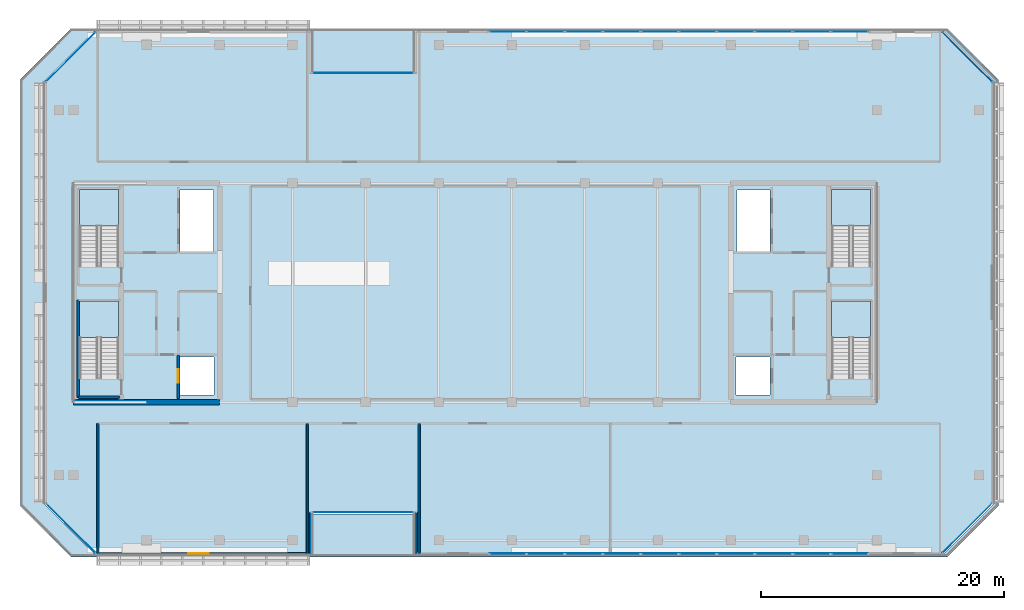
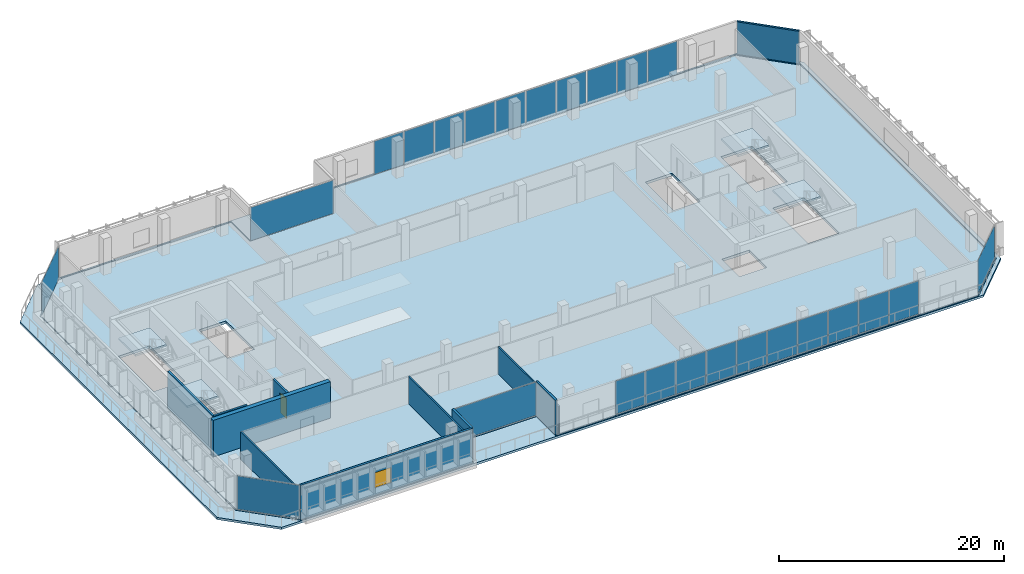
# One storey, part 19 of 26: 26 plates, 10 walls, 6 slabs, 2 members, 1 door, 1 window, 2 openings, 12 elements without a shape of their own.
"""IFC4 building model written with IfcOpenShell, lengths in metres."""

from ifc_helpers import new_model, si_unit, direction, frame, frame_2d, origin, origin_2d, place, context, subcontext, project, spatial, polyline, rectangle, hollow_rectangle, outline, extrude, material, layer, layer_set, material_profile, profile_set, type_object, element, fill, aggregate, save


model = new_model("IFC4")

# Units and contexts
model_context = context("Model", 3, precision=1e-05, world=origin(), true_north=direction((0.0, 1.0)))
body_context = subcontext(model_context, "Body", "Model", "MODEL_VIEW")
ifc_project = project(units=[si_unit("LENGTHUNIT", "METRE"), si_unit("AREAUNIT", "SQUARE_METRE"), si_unit("VOLUMEUNIT", "CUBIC_METRE"), si_unit("PLANEANGLEUNIT", "RADIAN"), si_unit("MASSUNIT", "GRAM", prefix="KILO")], contexts=[model_context])

# Site, building, storey
site_placement = place(None, origin())
site = spatial("IfcSite", under=ifc_project, at=site_placement, CompositionType="ELEMENT")
building_placement = place(site_placement, origin())
building = spatial("IfcBuilding", under=site, at=building_placement, Name="Tanjung Sevakor Pilgrim Tower", CompositionType="ELEMENT")
storey_placement = place(building_placement, frame((0.0, 0.0, 177.8701171875)))
storey = spatial("IfcBuildingStorey", under=building, at=storey_placement, Name="L49", CompositionType="ELEMENT", Elevation=177.8701171875)

# Curtain wall, members
ifc_material_1 = material(Name="Aluminium 6063-T6 and Low-E Glass", Category="aluminium")
ifc_layer_1 = layer(ifc_material_1, 0.179931640625)
ifc_layer_set_1 = layer_set([ifc_layer_1], Name="CW-SYS-CHAM")
curtain_wall_type_1 = type_object("IfcCurtainWallType", Name="CW-SYS-CHAM", PredefinedType="NOTDEFINED", material=ifc_layer_set_1)
curtain_wall_1_placement = place(storey_placement, origin())
curtain_wall_1 = element("IfcCurtainWall", 1, at=curtain_wall_1_placement, inside=storey, type_object=curtain_wall_type_1, Name="L49 Curtain Wall CW-CHM-L49-MAIN-7", PredefinedType="NOTDEFINED")
ifc_material_2 = material(Name="Aluminium 6063-T6", Category="aluminium")
ifc_material_profile = material_profile(ifc_material_2, hollow_rectangle(XDim=0.06494140625, YDim=0.139892578125, WallThickness=0.00390625, at=origin_2d()))
ifc_profile_set = profile_set([ifc_material_profile], Name="Aluminium 6063-T6")
member_type = type_object("IfcMemberType", Name="TYPE-CWT-1", PredefinedType="USERDEFINED", material=ifc_profile_set)
member_1_placement = place(storey_placement, frame((99.444091796875, 50.950439453125, 0.032470703125), z_axis=(-0.707106781187, 0.707106781187, 0.0), x_axis=(-0.707106781187, -0.707106781187, 0.0)))
member_1 = element("IfcMember", 2, at=member_1_placement, type_object=member_type, Name="CW-CHM transom 1.1", ObjectType="TRANSOM", PredefinedType="USERDEFINED", context=body_context, shape_type="SweptSolid", body=[
    extrude(hollow_rectangle(XDim=0.06494140625, YDim=0.139892578125, WallThickness=0.00390625, at=origin_2d()), origin(), (0.0, 0.0, 1.0), 5.71875),
])
member_2_placement = place(storey_placement, frame((99.444091796875, 50.950439453125, 3.707275390625), z_axis=(-0.707106781187, 0.707106781187, 0.0), x_axis=(-0.707106781187, -0.707106781187, 0.0)))
member_2 = element("IfcMember", 3, at=member_2_placement, type_object=member_type, Name="CW-CHM transom 1.2", ObjectType="TRANSOM", PredefinedType="USERDEFINED", context=body_context, shape_type="SweptSolid", body=[
    extrude(hollow_rectangle(XDim=0.06494140625, YDim=0.139892578125, WallThickness=0.00390625, at=origin_2d()), origin(), (0.0, 0.0, 1.0), 5.71875),
])

# Stair, slab
ifc_material_3 = material(Name="Concrete C40/50", Category="concrete")
stair_type = type_object("IfcStairType", Name="STAIR-ST-CR150", PredefinedType="HALF_TURN_STAIR", material=ifc_material_3)
stair_1_placement = place(storey_placement, origin())
stair_1 = element("IfcStair", 4, at=stair_1_placement, inside=storey, type_object=stair_type, Name="L49 West Core Exit Stair 1", PredefinedType="HALF_TURN_STAIR")
ifc_material_4 = material(Name="Concrete C40/50", Category="concrete")
ifc_layer_2 = layer(ifc_material_4, 0.199951171875)
ifc_layer_set_2 = layer_set([ifc_layer_2], Name="SL-LAND-200")
slab_type_1 = type_object("IfcSlabType", Name="SL-LAND-200", PredefinedType="LANDING", material=ifc_layer_set_2)
slab_1_placement = place(storey_placement, frame((0.0, 0.0, 1.77978515625)))
slab_1 = element("IfcSlab", 5, at=slab_1_placement, type_object=slab_type_1, Name="TS-W1 landing 1", PredefinedType="LANDING", context=body_context, shape_type="SweptSolid", body=[
    extrude(outline(polyline([(27.699951171875, 29.89990234375), (27.699951171875, 32.89990234375), (24.5, 32.89990234375), (24.5, 29.89990234375), (27.699951171875, 29.89990234375)])), origin(), (0.0, 0.0, 1.0), 0.2001953125),
])
aggregate(stair_1, [slab_1])

stair_2_placement = place(storey_placement, origin())
stair_2 = element("IfcStair", 6, at=stair_2_placement, inside=storey, type_object=stair_type, Name="L49 West Core Exit Stair 2", PredefinedType="HALF_TURN_STAIR")
slab_2_placement = place(storey_placement, frame((0.0, 0.0, 1.77978515625)))
slab_2 = element("IfcSlab", 7, at=slab_2_placement, type_object=slab_type_1, Name="TS-W2 landing 1", PredefinedType="LANDING", context=body_context, shape_type="SweptSolid", body=[
    extrude(outline(polyline([(27.699951171875, 39.10009765625), (27.699951171875, 42.10009765625), (24.5, 42.10009765625), (24.5, 39.10009765625), (27.699951171875, 39.10009765625)])), origin(), (0.0, 0.0, 1.0), 0.2001953125),
])
aggregate(stair_2, [slab_2])

stair_3_placement = place(storey_placement, origin())
stair_3 = element("IfcStair", 8, at=stair_3_placement, inside=storey, type_object=stair_type, Name="L49 East Core Exit Stair 1", PredefinedType="HALF_TURN_STAIR")
slab_3_placement = place(storey_placement, frame((0.0, 0.0, 1.77978515625)))
slab_3 = element("IfcSlab", 9, at=slab_3_placement, type_object=slab_type_1, Name="TS-E1 landing 1", PredefinedType="LANDING", context=body_context, shape_type="SweptSolid", body=[
    extrude(outline(polyline([(89.5, 29.89990234375), (89.5, 32.89990234375), (86.300048828125, 32.89990234375), (86.300048828125, 29.89990234375), (89.5, 29.89990234375)])), origin(), (0.0, 0.0, 1.0), 0.2001953125),
])
aggregate(stair_3, [slab_3])

stair_4_placement = place(storey_placement, origin())
stair_4 = element("IfcStair", 10, at=stair_4_placement, inside=storey, type_object=stair_type, Name="L49 East Core Exit Stair 2", PredefinedType="HALF_TURN_STAIR")
slab_4_placement = place(storey_placement, frame((0.0, 0.0, 1.77978515625)))
slab_4 = element("IfcSlab", 11, at=slab_4_placement, type_object=slab_type_1, Name="TS-E2 landing 1", PredefinedType="LANDING", context=body_context, shape_type="SweptSolid", body=[
    extrude(outline(polyline([(89.5, 39.10009765625), (89.5, 42.10009765625), (86.300048828125, 42.10009765625), (86.300048828125, 39.10009765625), (89.5, 39.10009765625)])), origin(), (0.0, 0.0, 1.0), 0.2001953125),
])
aggregate(stair_4, [slab_4])

# Slabs
ifc_material_5 = material(Name="Concrete C40/50", Category="concrete")
ifc_layer_3 = layer(ifc_material_5, 0.280029296875)
ifc_layer_set_3 = layer_set([ifc_layer_3], Name="SL-SKY-280")
slab_type_2 = type_object("IfcSlabType", Name="SL-SKY-280", PredefinedType="FLOOR", material=ifc_layer_set_3)
slab_5_placement = place(storey_placement, frame((0.0, 0.0, -0.280029296875)))
element("IfcSlab", 12, at=slab_5_placement, inside=storey, type_object=slab_type_2, Name="L49 Floor Slab MAIN", PredefinedType="FLOOR", context=body_context, shape_type="SweptSolid", body=[
    extrude(outline(polyline([(25.846923828125, 12.1298828125), (43.52001953125, 12.1298828125), (43.52001953125, 15.530029296875), (52.080078125, 15.530029296875), (52.080078125, 12.1298828125), (95.35302734375, 12.1298828125), (99.52001953125, 16.296875), (99.52001953125, 50.903076171875), (95.35302734375, 55.070068359375), (52.080078125, 55.070068359375), (52.080078125, 51.669921875), (43.52001953125, 51.669921875), (43.52001953125, 55.070068359375), (25.846923828125, 55.070068359375), (21.679931640625, 50.903076171875), (21.679931640625, 16.296875), (25.846923828125, 12.1298828125)]), holes=[polyline([(27.699951171875, 26.60009765625), (27.699951171875, 32.89990234375), (24.5, 32.89990234375), (24.5, 26.60009765625), (27.699951171875, 26.60009765625)]), polyline([(27.699951171875, 35.800048828125), (27.699951171875, 42.10009765625), (24.5, 42.10009765625), (24.5, 35.800048828125), (27.699951171875, 35.800048828125)]), polyline([(89.5, 26.60009765625), (89.5, 32.89990234375), (86.300048828125, 32.89990234375), (86.300048828125, 26.60009765625), (89.5, 26.60009765625)]), polyline([(89.5, 35.800048828125), (89.5, 42.10009765625), (86.300048828125, 42.10009765625), (86.300048828125, 35.800048828125), (89.5, 35.800048828125)]), polyline([(32.75, 25.199951171875), (35.550048828125, 25.199951171875), (35.550048828125, 28.300048828125), (32.75, 28.300048828125), (32.75, 25.199951171875)]), polyline([(32.75, 37.0), (35.5, 37.0), (35.5, 42.050048828125), (32.75, 42.050048828125), (32.75, 37.0)]), polyline([(78.449951171875, 25.199951171875), (81.25, 25.199951171875), (81.25, 28.300048828125), (78.449951171875, 28.300048828125), (78.449951171875, 25.199951171875)]), polyline([(78.5, 37.0), (81.25, 37.0), (81.25, 42.050048828125), (78.5, 42.050048828125), (78.5, 37.0)])]), origin(), (0.0, 0.0, 1.0), 0.280029296875),
])
ifc_material_6 = material(Name="Concrete C40/50", Category="concrete")
ifc_layer_4 = layer(ifc_material_6, 0.239990234375)
ifc_layer_set_4 = layer_set([ifc_layer_4], Name="SL-TER-240")
slab_type_3 = type_object("IfcSlabType", Name="SL-TER-240", PredefinedType="FLOOR", material=ifc_layer_set_4)
slab_6_placement = place(storey_placement, frame((0.0, 0.0, -0.240234375)))
element("IfcSlab", 13, at=slab_6_placement, inside=storey, type_object=slab_type_3, Name="L49 Setback Sky Terrace Ring", PredefinedType="FLOOR", context=body_context, shape_type="SweptSolid", body=[
    extrude(outline(polyline([(23.800048828125, 11.89990234375), (95.800048828125, 11.89990234375), (100.0, 16.10009765625), (100.0, 51.10009765625), (95.800048828125, 55.300048828125), (23.800048828125, 55.300048828125), (19.60009765625, 51.10009765625), (19.60009765625, 16.10009765625), (23.800048828125, 11.89990234375)]), holes=[polyline([(25.788330078125, 12.030029296875), (43.6201171875, 12.030029296875), (43.6201171875, 15.429931640625), (51.97998046875, 15.429931640625), (51.97998046875, 12.030029296875), (95.41162109375, 12.030029296875), (99.6201171875, 16.23828125), (99.6201171875, 50.961669921875), (95.41162109375, 55.169921875), (51.97998046875, 55.169921875), (51.97998046875, 51.77001953125), (43.6201171875, 51.77001953125), (43.6201171875, 55.169921875), (25.788330078125, 55.169921875), (21.580078125, 50.961669921875), (21.580078125, 16.23828125), (25.788330078125, 12.030029296875)])]), origin(), (0.0, 0.0, 1.0), 0.240234375),
])

# Curtain wall, plate
ifc_material_7 = material(Name="Aluminium 6063-T6 and Low-E Glass", Category="aluminium")
ifc_layer_5 = layer(ifc_material_7, 0.179931640625)
ifc_layer_set_5 = layer_set([ifc_layer_5], Name="CW-SYS-CLEFT")
curtain_wall_type_2 = type_object("IfcCurtainWallType", Name="CW-SYS-CLEFT", PredefinedType="NOTDEFINED", material=ifc_layer_set_5)
curtain_wall_2_placement = place(storey_placement, origin())
curtain_wall_2 = element("IfcCurtainWall", 14, at=curtain_wall_2_placement, inside=storey, type_object=curtain_wall_type_2, Name="L49 Curtain Wall CW-CLF-L49-2", PredefinedType="NOTDEFINED")
ifc_material_8 = material(Name="Laminated Low-E Double Glazing", Category="glass")
ifc_layer_6 = layer(ifc_material_8, 0.028076171875)
ifc_layer_set_6 = layer_set([ifc_layer_6], Name="TYPE-CWP-GLZ1")
plate_type_1 = type_object("IfcPlateType", Name="TYPE-CWP-GLZ1", PredefinedType="CURTAIN_PANEL", material=ifc_layer_set_6)
plate_1_placement = place(storey_placement, frame((47.800048828125, 15.56005859375, 0.06494140625), z_axis=(0.0, 0.0, 1.0), x_axis=(1.0, 0.0, 0.0)))
plate_1 = element("IfcPlate", 15, at=plate_1_placement, type_object=plate_type_1, Name="CW-CLF panel 1.1", PredefinedType="CURTAIN_PANEL", context=body_context, shape_type="SweptSolid", body=[
    extrude(rectangle(XDim=8.469970703125, YDim=0.028076171875, at=origin_2d()), origin(), (0.0, 0.0, 1.0), 3.610107421875),
])
aggregate(curtain_wall_2, [plate_1])

curtain_wall_3_placement = place(storey_placement, origin())
curtain_wall_3 = element("IfcCurtainWall", 16, at=curtain_wall_3_placement, inside=storey, type_object=curtain_wall_type_1, Name="L49 Curtain Wall CW-CHM-L49-MAIN-5", PredefinedType="NOTDEFINED")
plate_2_placement = place(storey_placement, frame((97.422119140625, 14.227783203125, 0.06494140625), z_axis=(0.0, 0.0, 1.0), x_axis=(0.707106781187, 0.707106781187, 0.0)))
plate_2 = element("IfcPlate", 17, at=plate_2_placement, type_object=plate_type_1, Name="CW-CHM panel 1.1", PredefinedType="CURTAIN_PANEL", context=body_context, shape_type="SweptSolid", body=[
    extrude(rectangle(XDim=5.718505859375, YDim=0.028076171875, at=origin_2d()), origin(), (0.0, 0.0, 1.0), 3.610107421875),
])
aggregate(curtain_wall_3, [plate_2])

# Plate
plate_3_placement = place(storey_placement, frame((97.422119140625, 52.97216796875, 0.06494140625), z_axis=(0.0, 0.0, 1.0), x_axis=(-0.707106781187, 0.707106781187, 0.0)))
plate_3 = element("IfcPlate", 18, at=plate_3_placement, type_object=plate_type_1, Name="CW-CHM panel 1.1", PredefinedType="CURTAIN_PANEL", context=body_context, shape_type="SweptSolid", body=[
    extrude(rectangle(XDim=5.718505859375, YDim=0.028076171875, at=origin_2d()), origin(), (0.0, 0.0, 1.0), 3.610107421875),
])

aggregate(curtain_wall_1, [member_1, member_2, plate_3])

# Curtain wall, plate
curtain_wall_4_placement = place(storey_placement, origin())
curtain_wall_4 = element("IfcCurtainWall", 19, at=curtain_wall_4_placement, inside=storey, type_object=curtain_wall_type_2, Name="L49 Curtain Wall CW-CLF-L49-10", PredefinedType="NOTDEFINED")
plate_4_placement = place(storey_placement, frame((47.800048828125, 51.639892578125, 0.06494140625), z_axis=(0.0, 0.0, 1.0), x_axis=(-1.0, 0.0, 0.0)))
plate_4 = element("IfcPlate", 20, at=plate_4_placement, type_object=plate_type_1, Name="CW-CLF panel 1.1", PredefinedType="CURTAIN_PANEL", context=body_context, shape_type="SweptSolid", body=[
    extrude(rectangle(XDim=8.469970703125, YDim=0.028076171875, at=origin_2d()), origin(), (0.0, 0.0, 1.0), 3.610107421875),
])
aggregate(curtain_wall_4, [plate_4])

curtain_wall_5_placement = place(storey_placement, origin())
curtain_wall_5 = element("IfcCurtainWall", 21, at=curtain_wall_5_placement, inside=storey, type_object=curtain_wall_type_1, Name="L49 Curtain Wall CW-CHM-L49-MAIN-13", PredefinedType="NOTDEFINED")
plate_5_placement = place(storey_placement, frame((23.77783203125, 52.97216796875, 0.06494140625), z_axis=(0.0, 0.0, 1.0), x_axis=(-0.707106781187, -0.707106781187, 0.0)))
plate_5 = element("IfcPlate", 22, at=plate_5_placement, type_object=plate_type_1, Name="CW-CHM panel 1.1", PredefinedType="CURTAIN_PANEL", context=body_context, shape_type="SweptSolid", body=[
    extrude(rectangle(XDim=5.718505859375, YDim=0.028076171875, at=origin_2d()), origin(), (0.0, 0.0, 1.0), 3.610107421875),
])
aggregate(curtain_wall_5, [plate_5])

curtain_wall_6_placement = place(storey_placement, origin())
curtain_wall_6 = element("IfcCurtainWall", 23, at=curtain_wall_6_placement, inside=storey, type_object=curtain_wall_type_1, Name="L49 Curtain Wall CW-CHM-L49-MAIN-15", PredefinedType="NOTDEFINED")
plate_6_placement = place(storey_placement, frame((23.77783203125, 14.227783203125, 0.06494140625), z_axis=(0.0, 0.0, 1.0), x_axis=(0.707106781187, -0.707106781187, 0.0)))
plate_6 = element("IfcPlate", 24, at=plate_6_placement, type_object=plate_type_1, Name="CW-CHM panel 1.1", PredefinedType="CURTAIN_PANEL", context=body_context, shape_type="SweptSolid", body=[
    extrude(rectangle(XDim=5.718505859375, YDim=0.028076171875, at=origin_2d()), origin(), (0.0, 0.0, 1.0), 3.610107421875),
])
aggregate(curtain_wall_6, [plate_6])

# Curtain wall, plates
ifc_material_9 = material(Name="Aluminium 6063-T6 and Low-E Glass", Category="aluminium")
ifc_layer_7 = layer(ifc_material_9, 0.199951171875)
ifc_layer_set_7 = layer_set([ifc_layer_7], Name="CW-SYS-SKY")
curtain_wall_type_3 = type_object("IfcCurtainWallType", Name="CW-SYS-SKY", PredefinedType="NOTDEFINED", material=ifc_layer_set_7)
curtain_wall_7_placement = place(storey_placement, origin())
curtain_wall_7 = element("IfcCurtainWall", 25, at=curtain_wall_7_placement, inside=storey, type_object=curtain_wall_type_3, Name="L49 Curtain Wall CW-SKY-L49-S", PredefinedType="NOTDEFINED")
ifc_material_10 = material(Name="Solar-Control Low-E Acoustic Glazing", Category="glass")
ifc_layer_8 = layer(ifc_material_10, 0.031982421875)
ifc_layer_set_8 = layer_set([ifc_layer_8], Name="TYPE-CWP-GLZ2")
plate_type_2 = type_object("IfcPlateType", Name="TYPE-CWP-GLZ2", PredefinedType="CURTAIN_PANEL", material=ifc_layer_set_8)
plate_7_placement = place(storey_placement, frame((59.69091796875, 12.159912109375, 0.07470703125), z_axis=(0.0, 0.0, 1.0), x_axis=(1.0, 0.0, 0.0)))
plate_7 = element("IfcPlate", 26, at=plate_7_placement, type_object=plate_type_2, Name="CW-SKY panel 1.1", PredefinedType="CURTAIN_PANEL", context=body_context, shape_type="SweptSolid", body=[
    extrude(rectangle(XDim=3.011962890625, YDim=0.031982421875, at=origin_2d()), origin(), (0.0, 0.0, 1.0), 3.590087890625),
])
plate_8_placement = place(storey_placement, frame((62.796630859375, 12.159912109375, 0.07470703125), z_axis=(0.0, 0.0, 1.0), x_axis=(1.0, 0.0, 0.0)))
plate_8 = element("IfcPlate", 27, at=plate_8_placement, type_object=plate_type_2, Name="CW-SKY panel 2.1", PredefinedType="CURTAIN_PANEL", context=body_context, shape_type="SweptSolid", body=[
    extrude(rectangle(XDim=3.049560546875, YDim=0.031982421875, at=origin_2d()), origin(), (0.0, 0.0, 1.0), 3.590087890625),
])
plate_9_placement = place(storey_placement, frame((65.921142578125, 12.159912109375, 0.07470703125), z_axis=(0.0, 0.0, 1.0), x_axis=(1.0, 0.0, 0.0)))
plate_9 = element("IfcPlate", 28, at=plate_9_placement, type_object=plate_type_2, Name="CW-SKY panel 3.1", PredefinedType="CURTAIN_PANEL", context=body_context, shape_type="SweptSolid", body=[
    extrude(rectangle(XDim=3.049560546875, YDim=0.031982421875, at=origin_2d()), origin(), (0.0, 0.0, 1.0), 3.590087890625),
])
plate_10_placement = place(storey_placement, frame((69.045654296875, 12.159912109375, 0.07470703125), z_axis=(0.0, 0.0, 1.0), x_axis=(1.0, 0.0, 0.0)))
plate_10 = element("IfcPlate", 29, at=plate_10_placement, type_object=plate_type_2, Name="CW-SKY panel 4.1", PredefinedType="CURTAIN_PANEL", context=body_context, shape_type="SweptSolid", body=[
    extrude(rectangle(XDim=3.049560546875, YDim=0.031982421875, at=origin_2d()), origin(), (0.0, 0.0, 1.0), 3.590087890625),
])
plate_11_placement = place(storey_placement, frame((72.169921875, 12.159912109375, 0.07470703125), z_axis=(0.0, 0.0, 1.0), x_axis=(1.0, 0.0, 0.0)))
plate_11 = element("IfcPlate", 30, at=plate_11_placement, type_object=plate_type_2, Name="CW-SKY panel 5.1", PredefinedType="CURTAIN_PANEL", context=body_context, shape_type="SweptSolid", body=[
    extrude(rectangle(XDim=3.049560546875, YDim=0.031982421875, at=origin_2d()), origin(), (0.0, 0.0, 1.0), 3.590087890625),
])
plate_12_placement = place(storey_placement, frame((75.29443359375, 12.159912109375, 0.07470703125), z_axis=(0.0, 0.0, 1.0), x_axis=(1.0, 0.0, 0.0)))
plate_12 = element("IfcPlate", 31, at=plate_12_placement, type_object=plate_type_2, Name="CW-SKY panel 6.1", PredefinedType="CURTAIN_PANEL", context=body_context, shape_type="SweptSolid", body=[
    extrude(rectangle(XDim=3.049560546875, YDim=0.031982421875, at=origin_2d()), origin(), (0.0, 0.0, 1.0), 3.590087890625),
])
plate_13_placement = place(storey_placement, frame((78.4189453125, 12.159912109375, 0.07470703125), z_axis=(0.0, 0.0, 1.0), x_axis=(1.0, 0.0, 0.0)))
plate_13 = element("IfcPlate", 32, at=plate_13_placement, type_object=plate_type_2, Name="CW-SKY panel 7.1", PredefinedType="CURTAIN_PANEL", context=body_context, shape_type="SweptSolid", body=[
    extrude(rectangle(XDim=3.049560546875, YDim=0.031982421875, at=origin_2d()), origin(), (0.0, 0.0, 1.0), 3.590087890625),
])
plate_14_placement = place(storey_placement, frame((81.543212890625, 12.159912109375, 0.07470703125), z_axis=(0.0, 0.0, 1.0), x_axis=(1.0, 0.0, 0.0)))
plate_14 = element("IfcPlate", 33, at=plate_14_placement, type_object=plate_type_2, Name="CW-SKY panel 8.1", PredefinedType="CURTAIN_PANEL", context=body_context, shape_type="SweptSolid", body=[
    extrude(rectangle(XDim=3.049560546875, YDim=0.031982421875, at=origin_2d()), origin(), (0.0, 0.0, 1.0), 3.590087890625),
])
plate_15_placement = place(storey_placement, frame((84.667724609375, 12.159912109375, 0.07470703125), z_axis=(0.0, 0.0, 1.0), x_axis=(1.0, 0.0, 0.0)))
plate_15 = element("IfcPlate", 34, at=plate_15_placement, type_object=plate_type_2, Name="CW-SKY panel 9.1", PredefinedType="CURTAIN_PANEL", context=body_context, shape_type="SweptSolid", body=[
    extrude(rectangle(XDim=3.049560546875, YDim=0.031982421875, at=origin_2d()), origin(), (0.0, 0.0, 1.0), 3.590087890625),
])
plate_16_placement = place(storey_placement, frame((87.7734375, 12.159912109375, 0.07470703125), z_axis=(0.0, 0.0, 1.0), x_axis=(1.0, 0.0, 0.0)))
plate_16 = element("IfcPlate", 35, at=plate_16_placement, type_object=plate_type_2, Name="CW-SKY panel 10.1", PredefinedType="CURTAIN_PANEL", context=body_context, shape_type="SweptSolid", body=[
    extrude(rectangle(XDim=3.011962890625, YDim=0.031982421875, at=origin_2d()), origin(), (0.0, 0.0, 1.0), 3.590087890625),
])
aggregate(curtain_wall_7, [plate_7, plate_8, plate_9, plate_10, plate_11, plate_12, plate_13, plate_14, plate_15, plate_16])

curtain_wall_8_placement = place(storey_placement, origin())
curtain_wall_8 = element("IfcCurtainWall", 36, at=curtain_wall_8_placement, inside=storey, type_object=curtain_wall_type_3, Name="L49 Curtain Wall CW-SKY-L49-N", PredefinedType="NOTDEFINED")
plate_17_placement = place(storey_placement, frame((87.7734375, 55.0400390625, 0.07470703125), z_axis=(0.0, 0.0, 1.0), x_axis=(-1.0, 0.0, 0.0)))
plate_17 = element("IfcPlate", 37, at=plate_17_placement, type_object=plate_type_2, Name="CW-SKY panel 1.1", PredefinedType="CURTAIN_PANEL", context=body_context, shape_type="SweptSolid", body=[
    extrude(rectangle(XDim=3.011962890625, YDim=0.031982421875, at=origin_2d()), origin(), (0.0, 0.0, 1.0), 3.590087890625),
])
plate_18_placement = place(storey_placement, frame((84.667724609375, 55.0400390625, 0.07470703125), z_axis=(0.0, 0.0, 1.0), x_axis=(-1.0, 0.0, 0.0)))
plate_18 = element("IfcPlate", 38, at=plate_18_placement, type_object=plate_type_2, Name="CW-SKY panel 2.1", PredefinedType="CURTAIN_PANEL", context=body_context, shape_type="SweptSolid", body=[
    extrude(rectangle(XDim=3.049560546875, YDim=0.031982421875, at=origin_2d()), origin(), (0.0, 0.0, 1.0), 3.590087890625),
])
plate_19_placement = place(storey_placement, frame((81.543212890625, 55.0400390625, 0.07470703125), z_axis=(0.0, 0.0, 1.0), x_axis=(-1.0, 0.0, 0.0)))
plate_19 = element("IfcPlate", 39, at=plate_19_placement, type_object=plate_type_2, Name="CW-SKY panel 3.1", PredefinedType="CURTAIN_PANEL", context=body_context, shape_type="SweptSolid", body=[
    extrude(rectangle(XDim=3.049560546875, YDim=0.031982421875, at=origin_2d()), origin(), (0.0, 0.0, 1.0), 3.590087890625),
])
plate_20_placement = place(storey_placement, frame((78.4189453125, 55.0400390625, 0.07470703125), z_axis=(0.0, 0.0, 1.0), x_axis=(-1.0, 0.0, 0.0)))
plate_20 = element("IfcPlate", 40, at=plate_20_placement, type_object=plate_type_2, Name="CW-SKY panel 4.1", PredefinedType="CURTAIN_PANEL", context=body_context, shape_type="SweptSolid", body=[
    extrude(rectangle(XDim=3.049560546875, YDim=0.031982421875, at=origin_2d()), origin(), (0.0, 0.0, 1.0), 3.590087890625),
])
plate_21_placement = place(storey_placement, frame((75.29443359375, 55.0400390625, 0.07470703125), z_axis=(0.0, 0.0, 1.0), x_axis=(-1.0, 0.0, 0.0)))
plate_21 = element("IfcPlate", 41, at=plate_21_placement, type_object=plate_type_2, Name="CW-SKY panel 5.1", PredefinedType="CURTAIN_PANEL", context=body_context, shape_type="SweptSolid", body=[
    extrude(rectangle(XDim=3.049560546875, YDim=0.031982421875, at=origin_2d()), origin(), (0.0, 0.0, 1.0), 3.590087890625),
])
plate_22_placement = place(storey_placement, frame((72.169921875, 55.0400390625, 0.07470703125), z_axis=(0.0, 0.0, 1.0), x_axis=(-1.0, 0.0, 0.0)))
plate_22 = element("IfcPlate", 42, at=plate_22_placement, type_object=plate_type_2, Name="CW-SKY panel 6.1", PredefinedType="CURTAIN_PANEL", context=body_context, shape_type="SweptSolid", body=[
    extrude(rectangle(XDim=3.049560546875, YDim=0.031982421875, at=origin_2d()), origin(), (0.0, 0.0, 1.0), 3.590087890625),
])
plate_23_placement = place(storey_placement, frame((69.045654296875, 55.0400390625, 0.07470703125), z_axis=(0.0, 0.0, 1.0), x_axis=(-1.0, 0.0, 0.0)))
plate_23 = element("IfcPlate", 43, at=plate_23_placement, type_object=plate_type_2, Name="CW-SKY panel 7.1", PredefinedType="CURTAIN_PANEL", context=body_context, shape_type="SweptSolid", body=[
    extrude(rectangle(XDim=3.049560546875, YDim=0.031982421875, at=origin_2d()), origin(), (0.0, 0.0, 1.0), 3.590087890625),
])
plate_24_placement = place(storey_placement, frame((65.921142578125, 55.0400390625, 0.07470703125), z_axis=(0.0, 0.0, 1.0), x_axis=(-1.0, 0.0, 0.0)))
plate_24 = element("IfcPlate", 44, at=plate_24_placement, type_object=plate_type_2, Name="CW-SKY panel 8.1", PredefinedType="CURTAIN_PANEL", context=body_context, shape_type="SweptSolid", body=[
    extrude(rectangle(XDim=3.049560546875, YDim=0.031982421875, at=origin_2d()), origin(), (0.0, 0.0, 1.0), 3.590087890625),
])
plate_25_placement = place(storey_placement, frame((62.796630859375, 55.0400390625, 0.07470703125), z_axis=(0.0, 0.0, 1.0), x_axis=(-1.0, 0.0, 0.0)))
plate_25 = element("IfcPlate", 45, at=plate_25_placement, type_object=plate_type_2, Name="CW-SKY panel 9.1", PredefinedType="CURTAIN_PANEL", context=body_context, shape_type="SweptSolid", body=[
    extrude(rectangle(XDim=3.049560546875, YDim=0.031982421875, at=origin_2d()), origin(), (0.0, 0.0, 1.0), 3.590087890625),
])
plate_26_placement = place(storey_placement, frame((59.69091796875, 55.0400390625, 0.07470703125), z_axis=(0.0, 0.0, 1.0), x_axis=(-1.0, 0.0, 0.0)))
plate_26 = element("IfcPlate", 46, at=plate_26_placement, type_object=plate_type_2, Name="CW-SKY panel 10.1", PredefinedType="CURTAIN_PANEL", context=body_context, shape_type="SweptSolid", body=[
    extrude(rectangle(XDim=3.011962890625, YDim=0.031982421875, at=origin_2d()), origin(), (0.0, 0.0, 1.0), 3.590087890625),
])
aggregate(curtain_wall_8, [plate_17, plate_18, plate_19, plate_20, plate_21, plate_22, plate_23, plate_24, plate_25, plate_26])

# Walls
ifc_material_11 = material(Name="Concrete C60/75", Category="concrete")
ifc_layer_9 = layer(ifc_material_11, 0.449951171875)
ifc_layer_set_9 = layer_set([ifc_layer_9], Name="WALL-CW-450")
wall_type_1 = type_object("IfcWallType", Name="WALL-CW-450", PredefinedType="SHEAR", material=ifc_layer_set_9)
wall_1_placement = place(storey_placement, frame((24.0, 24.60009765625, 0.0), z_axis=(0.0, 0.0, 1.0), x_axis=(1.0, 0.0, 0.0)))
element("IfcWall", 47, at=wall_1_placement, inside=storey, type_object=wall_type_1, Name="L49 W Core South Shear Wall", PredefinedType="SHEAR", context=body_context, shape_type="SweptSolid", body=[
    extrude(rectangle(XDim=12.0, YDim=0.449951171875, at=frame_2d((6.0, 0.0))), origin(), (0.0, 0.0, 1.0), 3.9599609375),
])
ifc_material_12 = material(Name="Concrete C40/50", Category="concrete")
ifc_layer_10 = layer(ifc_material_12, 0.14990234375)
ifc_layer_set_10 = layer_set([ifc_layer_10], Name="WT-COMP-150")
wall_type_2 = type_object("IfcWallType", Name="WT-COMP-150", PredefinedType="SOLIDWALL", material=ifc_layer_set_10)
wall_2_placement = place(storey_placement, frame((26.0, 12.14990234375, 0.0), z_axis=(0.0, 0.0, 1.0), x_axis=(0.0, 1.0, 0.0)))
element("IfcWall", 48, at=wall_2_placement, inside=storey, type_object=wall_type_2, Name="L49 Partition IW-L49-023", PredefinedType="SOLIDWALL", context=body_context, shape_type="SweptSolid", body=[
    extrude(rectangle(XDim=10.7001953125, YDim=0.14990234375, at=frame_2d((5.35009765625, 0.0))), origin(), (0.0, 0.0, 1.0), 2.9599609375),
])

# Wall, opening, window
ifc_material_13 = material(Name="Precast concrete C45/55", Category="concrete")
ifc_layer_11 = layer(ifc_material_13, 0.219970703125)
ifc_layer_set_11 = layer_set([ifc_layer_11], Name="WT-EW-STN4")
wall_type_3 = type_object("IfcWallType", Name="WT-EW-STN4", PredefinedType="SOLIDWALL", material=ifc_layer_set_11)
wall_3_placement = place(storey_placement, frame((25.845703125, 12.159912109375, 0.0), z_axis=(0.0, 0.0, 1.0), x_axis=(1.0, 0.0, 0.0)))
wall_3 = element("IfcWall", 49, at=wall_3_placement, inside=storey, type_object=wall_type_3, Name="L49 MAIN Exterior Wall 1", PredefinedType="SOLIDWALL", context=body_context, shape_type="SweptSolid", body=[
    extrude(rectangle(XDim=17.644287109375, YDim=0.219970703125, at=frame_2d((8.822265625, 0.0))), origin(), (0.0, 0.0, 1.0), 3.739990234375),
])
opening_1_placement = place(wall_3_placement, frame((7.599365234375, 0.0, 0.780029296875)))
opening_1 = element("IfcOpeningElement", 50, at=opening_1_placement, cuts=wall_3, Name="Opening WN-Z4-1660", PredefinedType="OPENING", context=body_context, shape_type="SweptSolid", body=[
    extrude(rectangle(XDim=1.64990234375, YDim=1.659912109375, at=frame_2d((0.824951171875, 0.830078125))), frame((0.0, 0.119873046875, 0.0), z_axis=(0.0, -1.0, 0.0), x_axis=(1.0, 0.0, 0.0)), (0.0, 0.0, 1.0), 0.239990234375),
])
ifc_material_14 = material(Name="Thermally Broken Aluminium and Low-E Glass", Category="aluminium")
window_type = type_object("IfcWindowType", Name="WTYP-WN-Z4-1660", PartitioningType="DOUBLE_PANEL_VERTICAL", PredefinedType="WINDOW", material=ifc_material_14)
window_placement = place(opening_1_placement, origin())
window = element("IfcWindow", 51, at=window_placement, inside=storey, type_object=window_type, Name="L49 Facade Window 01", OverallHeight=1.659912109375, OverallWidth=1.64990234375, PartitioningType="SINGLE_PANEL", PredefinedType="WINDOW", context=body_context, shape_type="SweptSolid", body=[
    extrude(rectangle(XDim=1.64990234375, YDim=1.659912109375, at=frame_2d((0.824951171875, 0.830078125))), frame((0.0, 0.030029296875, 0.0), z_axis=(0.0, -1.0, 0.0), x_axis=(1.0, 0.0, 0.0)), (0.0, 0.0, 1.0), 0.06005859375),
])
fill(opening_1, window)

# Walls
for number, where, z_axis, x_axis, name in (
    (52, (43.489990234375, 12.159912109375, 0.0), (0.0, 0.0, 1.0), (0.0, 1.0, 0.0), "L49 MAIN Exterior Wall 2"),
    (53, (52.110107421875, 15.56005859375, 0.0), (0.0, 0.0, 1.0), (0.0, -1.0, 0.0), "L49 MAIN Exterior Wall 4"),
):
    element("IfcWall", number, at=place(storey_placement, frame(where, z_axis=z_axis, x_axis=x_axis)), inside=storey, type_object=wall_type_3, Name=name, PredefinedType="SOLIDWALL", context=body_context, shape_type="SweptSolid", body=[
        extrude(rectangle(XDim=3.400146484375, YDim=0.219970703125, at=frame_2d((1.7001953125, 0.0))), origin(), (0.0, 0.0, 1.0), 3.739990234375),
    ])
ifc_material_15 = material(Name="Concrete C40/50", Category="concrete")
ifc_layer_12 = layer(ifc_material_15, 0.199951171875)
ifc_layer_set_12 = layer_set([ifc_layer_12], Name="WT-FIRE-200")
wall_type_4 = type_object("IfcWallType", Name="WT-FIRE-200", PredefinedType="SOLIDWALL", material=ifc_layer_set_12)
wall_4_placement = place(storey_placement, frame((24.39990234375, 25.0, 0.0), z_axis=(0.0, 0.0, 1.0), x_axis=(1.0, 0.0, 0.0)))
element("IfcWall", 54, at=wall_4_placement, inside=storey, type_object=wall_type_4, Name="L49 TS-W1 Shaft Wall 1", PredefinedType="SOLIDWALL", context=body_context, shape_type="SweptSolid", body=[
    extrude(rectangle(XDim=3.400146484375, YDim=0.199951171875, at=frame_2d((1.7001953125, 0.0))), origin(), (0.0, 0.0, 1.0), 3.9599609375),
])
wall_5_placement = place(storey_placement, frame((24.39990234375, 33.0, 0.0), z_axis=(0.0, 0.0, 1.0), x_axis=(0.0, -1.0, 0.0)))
element("IfcWall", 55, at=wall_5_placement, inside=storey, type_object=wall_type_4, Name="L49 TS-W1 Shaft Wall 3", PredefinedType="SOLIDWALL", context=body_context, shape_type="SweptSolid", body=[
    extrude(rectangle(XDim=8.0, YDim=0.199951171875, at=frame_2d((4.0, 0.0))), origin(), (0.0, 0.0, 1.0), 3.9599609375),
])

# Wall, opening, door
ifc_material_16 = material(Name="Concrete C40/50", Category="concrete")
ifc_layer_13 = layer(ifc_material_16, 0.199951171875)
ifc_layer_set_13 = layer_set([ifc_layer_13], Name="WT-FPRT-200")
wall_type_5 = type_object("IfcWallType", Name="WT-FPRT-200", PredefinedType="SOLIDWALL", material=ifc_layer_set_13)
wall_6_placement = place(storey_placement, frame((32.60009765625, 24.919921875, 0.0), z_axis=(0.0, 0.0, 1.0), x_axis=(0.0, 1.0, 0.0)))
wall_6 = element("IfcWall", 56, at=wall_6_placement, inside=storey, type_object=wall_type_5, Name="L49 Partition IW-L49-001", PredefinedType="SOLIDWALL", context=body_context, shape_type="SweptSolid", body=[
    extrude(rectangle(XDim=3.580078125, YDim=0.199951171875, at=frame_2d((1.7900390625, 0.0))), origin(), (0.0, 0.0, 1.0), 2.9599609375),
])
opening_2_placement = place(wall_6_placement, frame((1.300048828125, 0.0, 0.0)))
opening_2 = element("IfcOpeningElement", 57, at=opening_2_placement, cuts=wall_6, Name="Opening LD-1100", PredefinedType="OPENING", context=body_context, shape_type="SweptSolid", body=[
    extrude(rectangle(XDim=1.10009765625, YDim=2.199951171875, at=frame_2d((0.550048828125, 1.10009765625))), frame((0.0, 0.10986328125, 0.0), z_axis=(0.0, -1.0, 0.0), x_axis=(1.0, 0.0, 0.0)), (0.0, 0.0, 1.0), 0.219970703125),
])
ifc_material_17 = material(Name="Brushed Stainless Steel S355J2", Category="steel")
door_type = type_object("IfcDoorType", Name="DT-LIFT-1100", OperationType="SLIDING_TO_LEFT", PredefinedType="DOOR", material=ifc_material_17)
door_placement = place(opening_2_placement, origin())
door = element("IfcDoor", 58, at=door_placement, inside=storey, type_object=door_type, Name="LD-FL-W", OperationType="SLIDING_TO_LEFT", OverallHeight=2.199951171875, OverallWidth=1.10009765625, PredefinedType="DOOR", context=body_context, shape_type="SweptSolid", body=[
    extrude(rectangle(XDim=1.10009765625, YDim=2.199951171875, at=frame_2d((0.550048828125, 1.10009765625))), frame((0.0, 0.02490234375, 0.0), z_axis=(0.0, -1.0, 0.0), x_axis=(1.0, 0.0, 0.0)), (0.0, 0.0, 1.0), 0.050048828125),
])
fill(opening_2, door)

# Walls
ifc_material_18 = material(Name="Gypsum Board Partition", Category="gypsum board")
ifc_layer_14 = layer(ifc_material_18, 0.14990234375)
ifc_layer_set_14 = layer_set([ifc_layer_14], Name="WT-PART-150")
wall_type_6 = type_object("IfcWallType", Name="WT-PART-150", PredefinedType="PARTITIONING", material=ifc_layer_set_14)
for number, where, z_axis, x_axis, name in (
    (59, (43.199951171875, 12.14990234375, 0.0), (0.0, 0.0, 1.0), (0.0, 1.0, 0.0), "L49 Partition IW-L49-024"),
    (60, (52.39990234375, 12.14990234375, 0.0), (0.0, 0.0, 1.0), (0.0, 1.0, 0.0), "L49 Partition IW-L49-025"),
):
    element("IfcWall", number, at=place(storey_placement, frame(where, z_axis=z_axis, x_axis=x_axis)), inside=storey, type_object=wall_type_6, Name=name, PredefinedType="PARTITIONING", context=body_context, shape_type="SweptSolid", body=[
        extrude(rectangle(XDim=10.7001953125, YDim=0.14990234375, at=frame_2d((5.35009765625, 0.0))), origin(), (0.0, 0.0, 1.0), 2.9599609375),
    ])

save(model, "model.ifc")
